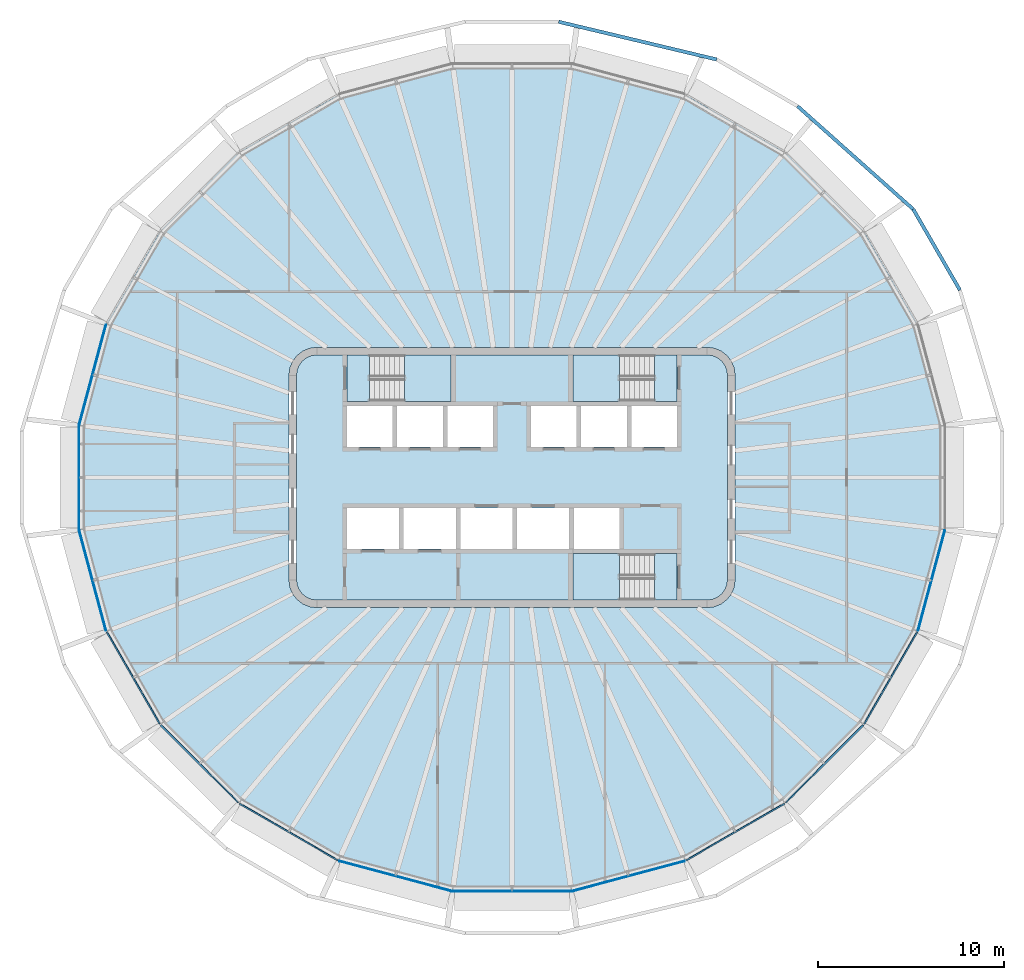
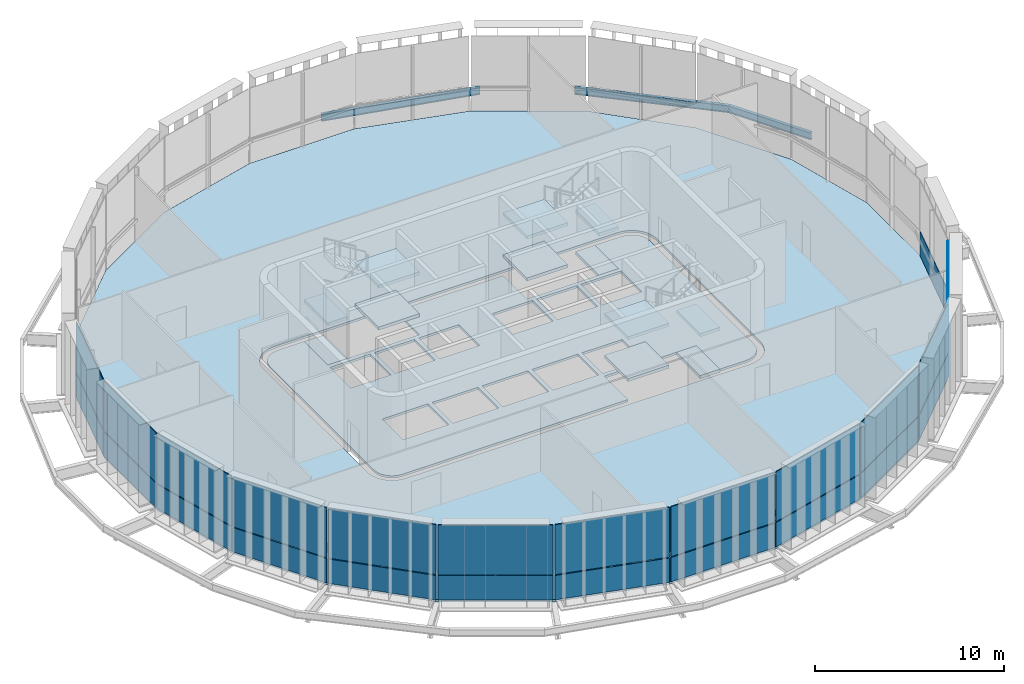
# One storey, part 5 of 16: 25 plates, 14 slabs, 3 beams, 16 elements without a shape of their own.
"""IFC4 building model written with IfcOpenShell, lengths in metres."""

from ifc_helpers import new_model, si_unit, direction, frame, origin, origin_2d, place, context, subcontext, project, spatial, polyline, i_section, outline, extrude, material, layer, layer_set, material_profile, profile_set, type_object, element, aggregate, save


model = new_model("IFC4")

# Units and contexts
model_context = context("Model", 3, precision=1e-05, world=origin(), true_north=direction((0.0, 1.0)))
body_context = subcontext(model_context, "Body", "Model", "MODEL_VIEW")
ifc_project = project(units=[si_unit("LENGTHUNIT", "METRE"), si_unit("AREAUNIT", "SQUARE_METRE"), si_unit("VOLUMEUNIT", "CUBIC_METRE"), si_unit("PLANEANGLEUNIT", "RADIAN"), si_unit("MASSUNIT", "GRAM", prefix="KILO")], contexts=[model_context])

# Site, building, storey
site_placement = place(None, origin())
site = spatial("IfcSite", under=ifc_project, at=site_placement, CompositionType="ELEMENT")
building_placement = place(site_placement, origin())
building = spatial("IfcBuilding", under=site, at=building_placement, Name="Sahrelin Media Tower", CompositionType="ELEMENT")
storey_placement = place(building_placement, frame((0.0, 0.0, 324.39990234375)))
storey = spatial("IfcBuildingStorey", under=building, at=storey_placement, Name="L72", CompositionType="ELEMENT", Elevation=324.39990234375)

# Beams
ifc_material_1 = material(Name="Steel S355", Category="steel")
ifc_material_profile = material_profile(ifc_material_1, i_section(OverallWidth=0.1904296875, OverallDepth=0.45703125, WebThickness=0.009033203125, FlangeThickness=0.014404296875, FilletRadius=0.01025390625, at=origin_2d()), Name="UB 457x191x74")
ifc_profile_set = profile_set([ifc_material_profile], Name="Steel S355")
beam_type = type_object("IfcBeamType", Name="Tie chord TC5", PredefinedType="BEAM", material=ifc_profile_set)
beam_1_placement = place(storey_placement, frame((24.093017578125, 10.086181640625, -0.37841796875), z_axis=(-0.499959752769, 0.866048639287, 0.0), x_axis=(-0.866048639287, -0.499959752769, 0.0)))
element("IfcBeam", 1, at=beam_1_placement, inside=storey, type_object=beam_type, Name="Tie chord L72-02", PredefinedType="BEAM", context=body_context, shape_type="SweptSolid", body=[
    extrude(i_section(OverallWidth=0.1904296875, OverallDepth=0.45703125, WebThickness=0.009033203125, FlangeThickness=0.014404296875, FilletRadius=0.01025390625, at=origin_2d()), origin(), (0.0, 0.0, 1.0), 5.01708984375),
])
beam_2_placement = place(storey_placement, frame((21.584716796875, 14.43115234375, -0.37841796875), z_axis=(-0.746643186688, 0.665224737793, 0.0), x_axis=(-0.665224737793, -0.746643186688, 0.0)))
element("IfcBeam", 2, at=beam_2_placement, inside=storey, type_object=beam_type, Name="Tie chord L72-03", PredefinedType="BEAM", context=body_context, shape_type="SweptSolid", body=[
    extrude(i_section(OverallWidth=0.1904296875, OverallDepth=0.45703125, WebThickness=0.009033203125, FlangeThickness=0.014404296875, FilletRadius=0.01025390625, at=origin_2d()), origin(), (0.0, 0.0, 1.0), 8.339111328125),
])
beam_3_placement = place(storey_placement, frame((11.013671875, 22.487060546875, -0.37841796875), z_axis=(-0.9726709397, 0.232187947715, 0.0), x_axis=(-0.232187947715, -0.9726709397, 0.0)))
element("IfcBeam", 3, at=beam_3_placement, inside=storey, type_object=beam_type, Name="Tie chord L72-05", PredefinedType="BEAM", context=body_context, shape_type="SweptSolid", body=[
    extrude(i_section(OverallWidth=0.1904296875, OverallDepth=0.45703125, WebThickness=0.009033203125, FlangeThickness=0.014404296875, FilletRadius=0.01025390625, at=origin_2d()), origin(), (0.0, 0.0, 1.0), 8.744140625),
])

# Slabs
ifc_material_2 = material(Name="Concrete C40/50", Category="concrete")
ifc_layer_1 = layer(ifc_material_2, 0.14990234375)
ifc_layer_set_1 = layer_set([ifc_layer_1], Name="Composite floor slab 150")
slab_type_1 = type_object("IfcSlabType", Name="Composite floor slab 150", PredefinedType="FLOOR", material=ifc_layer_set_1)
placement_1 = place(storey_placement, frame((0.0, 0.0, -0.14990234375)))
element("IfcSlab", 4, at=placement_1, inside=storey, type_object=slab_type_1, Name="Floor slab L72", PredefinedType="FLOOR", context=body_context, shape_type="SweptSolid", body=[
    extrude(outline(polyline([(23.279052734375, -2.8037109375), (23.279052734375, 2.8037109375), (21.8154296875, 8.266357421875), (18.919921875, 13.28125), (14.6884765625, 17.5126953125), (9.32958984375, 20.606689453125), (3.201416015625, 22.248779296875), (-3.201416015625, 22.248779296875), (-9.32958984375, 20.606689453125), (-14.6884765625, 17.5126953125), (-18.919921875, 13.28125), (-21.8154296875, 8.266357421875), (-23.279052734375, 2.8037109375), (-23.279052734375, -2.8037109375), (-21.8154296875, -8.266357421875), (-18.919921875, -13.28125), (-14.6884765625, -17.5126953125), (-9.32958984375, -20.606689453125), (-3.201416015625, -22.248779296875), (3.201416015625, -22.248779296875), (9.32958984375, -20.606689453125), (14.6884765625, -17.5126953125), (18.919921875, -13.28125), (21.8154296875, -8.266357421875), (23.279052734375, -2.8037109375)]), holes=[polyline([(11.948974609375, 5.88818359375), (12.0, 5.5), (12.0, -5.5), (11.948974609375, -5.88818359375), (11.799072265625, -6.25), (11.560791015625, -6.560791015625), (11.25, -6.799072265625), (10.88818359375, -6.948974609375), (10.5, -7.0), (-10.5, -7.0), (-10.88818359375, -6.948974609375), (-11.25, -6.799072265625), (-11.560791015625, -6.560791015625), (-11.799072265625, -6.25), (-11.948974609375, -5.88818359375), (-12.0, -5.5), (-12.0, 5.5), (-11.948974609375, 5.88818359375), (-11.799072265625, 6.25), (-11.560791015625, 6.560791015625), (-11.25, 6.799072265625), (-10.88818359375, 6.948974609375), (-10.5, 7.0), (10.5, 7.0), (10.88818359375, 6.948974609375), (11.25, 6.799072265625), (11.560791015625, 6.560791015625), (11.799072265625, 6.25), (11.948974609375, 5.88818359375)])]), origin(), (0.0, 0.0, 1.0), 0.14990234375),
])
ifc_layer_2 = layer(ifc_material_2, 0.14990234375)
ifc_layer_set_2 = layer_set([ifc_layer_2], Name="Core floor slab 150")
slab_type_2 = type_object("IfcSlabType", Name="Core floor slab 150", PredefinedType="FLOOR", material=ifc_layer_set_2)
element("IfcSlab", 5, at=placement_1, inside=storey, type_object=slab_type_2, Name="Core floor", PredefinedType="FLOOR", context=body_context, shape_type="SweptSolid", body=[
    extrude(outline(polyline([(-11.60009765625, -5.473876953125), (-11.55908203125, -5.78369140625), (-11.44970703125, -6.04833984375), (-11.275390625, -6.275390625), (-11.04833984375, -6.44970703125), (-10.78369140625, -6.55908203125), (-10.473876953125, -6.60009765625), (3.27490234375, -6.60009765625), (3.27490234375, -4.10009765625), (8.875, -4.10009765625), (8.875, -6.60009765625), (10.473876953125, -6.60009765625), (10.78369140625, -6.55908203125), (11.04833984375, -6.44970703125), (11.275390625, -6.275390625), (11.44970703125, -6.04833984375), (11.55908203125, -5.78369140625), (11.60009765625, -5.473876953125), (11.60009765625, 5.473876953125), (11.55908203125, 5.78369140625), (11.44970703125, 6.04833984375), (11.275390625, 6.275390625), (11.04833984375, 6.44970703125), (10.78369140625, 6.55908203125), (10.473876953125, 6.60009765625), (8.875, 6.60009765625), (8.875, 4.10009765625), (3.27490234375, 4.10009765625), (3.27490234375, 6.60009765625), (-3.27490234375, 6.60009765625), (-3.27490234375, 4.10009765625), (-8.875, 4.10009765625), (-8.875, 6.60009765625), (-10.473876953125, 6.60009765625), (-10.78369140625, 6.55908203125), (-11.04833984375, 6.44970703125), (-11.275390625, 6.275390625), (-11.44970703125, 6.04833984375), (-11.55908203125, 5.78369140625), (-11.60009765625, 5.473876953125), (-11.60009765625, -5.473876953125)]), holes=[polyline([(-8.875, 3.85009765625), (-8.875, 1.64990234375), (-6.425048828125, 1.64990234375), (-6.425048828125, 3.85009765625), (-8.875, 3.85009765625)]), polyline([(-3.72509765625, 3.85009765625), (-6.175048828125, 3.85009765625), (-6.175048828125, 1.64990234375), (-3.72509765625, 1.64990234375), (-3.72509765625, 3.85009765625)]), polyline([(-1.02490234375, 1.64990234375), (-1.02490234375, 3.85009765625), (-3.47509765625, 3.85009765625), (-3.47509765625, 1.64990234375), (-1.02490234375, 1.64990234375)]), polyline([(1.02490234375, 1.64990234375), (3.47509765625, 1.64990234375), (3.47509765625, 3.85009765625), (1.02490234375, 3.85009765625), (1.02490234375, 1.64990234375)]), polyline([(3.72509765625, 3.85009765625), (3.72509765625, 1.64990234375), (6.175048828125, 1.64990234375), (6.175048828125, 3.85009765625), (3.72509765625, 3.85009765625)]), polyline([(8.875, 3.85009765625), (6.425048828125, 3.85009765625), (6.425048828125, 1.64990234375), (8.875, 1.64990234375), (8.875, 3.85009765625)]), polyline([(-6.074951171875, -3.85009765625), (-6.074951171875, -1.64990234375), (-8.875, -1.64990234375), (-8.875, -3.85009765625), (-6.074951171875, -3.85009765625)]), polyline([(-5.824951171875, -3.85009765625), (-3.02490234375, -3.85009765625), (-3.02490234375, -1.64990234375), (-5.824951171875, -1.64990234375), (-5.824951171875, -3.85009765625)]), polyline([(-2.77490234375, -1.64990234375), (-2.77490234375, -3.85009765625), (0.02490234375, -3.85009765625), (0.02490234375, -1.64990234375), (-2.77490234375, -1.64990234375)]), polyline([(3.074951171875, -1.64990234375), (0.27490234375, -1.64990234375), (0.27490234375, -3.85009765625), (3.074951171875, -3.85009765625), (3.074951171875, -1.64990234375)]), polyline([(5.77490234375, -3.85009765625), (5.77490234375, -1.64990234375), (3.324951171875, -1.64990234375), (3.324951171875, -3.85009765625), (5.77490234375, -3.85009765625)])]), origin(), (0.0, 0.0, 1.0), 0.14990234375),
])

# Curtain wall, plates
ifc_material_3 = material(Name="Champagne anodised aluminium 6063-T6", Category="aluminium")
ifc_layer_3 = layer(ifc_material_3, 0.14990234375)
ifc_layer_set_3 = layer_set([ifc_layer_3], Name="Observation curtain wall")
curtain_wall_type = type_object("IfcCurtainWallType", Name="Observation curtain wall", PredefinedType="NOTDEFINED", material=ifc_layer_set_3)
curtain_wall_1_placement = place(storey_placement, frame((-22.56640625, 5.540283203125, 0.0), z_axis=(0.0, 0.0, 1.0), x_axis=(1.0, 0.0, 0.0)))
curtain_wall_1 = element("IfcCurtainWall", 6, at=curtain_wall_1_placement, inside=storey, type_object=curtain_wall_type, Name="L72:CW:L72-11", PredefinedType="NOTDEFINED")
ifc_material_4 = material(Name="Clear low-iron glazing", Category="glass")
ifc_layer_4 = layer(ifc_material_4, 0.050048828125)
ifc_layer_set_4 = layer_set([ifc_layer_4], Name="Glazing panel 50 mm CW3")
plate_type = type_object("IfcPlateType", Name="Glazing panel 50 mm CW3", PredefinedType="CURTAIN_PANEL", material=ifc_layer_set_4)
plate_1_placement = place(storey_placement, frame((-21.8662109375, 8.23095703125, 0.0), z_axis=(-0.965927474667, 0.258812893194, 0.0), x_axis=(-0.258812893194, -0.965927474667, 0.0)))
plate_1 = element("IfcPlate", 7, at=plate_1_placement, type_object=plate_type, Name="L72:CWP1:L72-11", PredefinedType="CURTAIN_PANEL", context=body_context, shape_type="SweptSolid", body=[
    extrude(outline(polyline([(0.0, 0.0), (5.560791015625, 0.0), (5.560791015625, 1.570068359375), (0.0, 1.570068359375), (0.0, 0.0)])), origin(), (0.0, 0.0, -1.0), 0.050048828125),
])
plate_2_placement = place(storey_placement, frame((-21.8662109375, 8.23095703125, 1.630126953125), z_axis=(-0.965927474667, 0.258812893194, 0.0), x_axis=(-0.258812893194, -0.965927474667, 0.0)))
plate_2 = element("IfcPlate", 8, at=plate_2_placement, type_object=plate_type, Name="L72:CWP2:L72-11", PredefinedType="CURTAIN_PANEL", context=body_context, shape_type="SweptSolid", body=[
    extrude(outline(polyline([(0.0, 0.0), (5.560791015625, 0.0), (5.560791015625, 3.218505859375), (0.0, 3.218505859375), (0.0, 0.0)])), origin(), (0.0, 0.0, -1.0), 0.050048828125),
])
aggregate(curtain_wall_1, [plate_1, plate_2])

curtain_wall_2_placement = place(storey_placement, frame((-23.299072265625, 0.0, 0.0), z_axis=(0.0, 0.0, 1.0), x_axis=(1.0, 0.0, 0.0)))
curtain_wall_2 = element("IfcCurtainWall", 9, at=curtain_wall_2_placement, inside=storey, type_object=curtain_wall_type, Name="L72:CW:L72-12", PredefinedType="NOTDEFINED")
plate_3_placement = place(storey_placement, frame((-23.319091796875, 2.756103515625, 0.0), z_axis=(-1.0, 0.0, 0.0), x_axis=(0.0, -1.0, 0.0)))
plate_3 = element("IfcPlate", 10, at=plate_3_placement, type_object=plate_type, Name="L72:CWP1:L72-12", PredefinedType="CURTAIN_PANEL", context=body_context, shape_type="SweptSolid", body=[
    extrude(outline(polyline([(0.0, 0.0), (5.51220703125, 0.0), (5.51220703125, 1.570068359375), (0.0, 1.570068359375), (0.0, 0.0)])), origin(), (0.0, 0.0, -1.0), 0.050048828125),
])
plate_4_placement = place(storey_placement, frame((-23.319091796875, 2.756103515625, 1.630126953125), z_axis=(-1.0, 0.0, 0.0), x_axis=(0.0, -1.0, 0.0)))
plate_4 = element("IfcPlate", 11, at=plate_4_placement, type_object=plate_type, Name="L72:CWP2:L72-12", PredefinedType="CURTAIN_PANEL", context=body_context, shape_type="SweptSolid", body=[
    extrude(outline(polyline([(0.0, 0.0), (5.51220703125, 0.0), (5.51220703125, 3.218505859375), (0.0, 3.218505859375), (0.0, 0.0)])), origin(), (0.0, 0.0, -1.0), 0.050048828125),
])
aggregate(curtain_wall_2, [plate_3, plate_4])

curtain_wall_3_placement = place(storey_placement, frame((-22.56640625, -5.540283203125, 0.0), z_axis=(0.0, 0.0, 1.0), x_axis=(1.0, 0.0, 0.0)))
curtain_wall_3 = element("IfcCurtainWall", 12, at=curtain_wall_3_placement, inside=storey, type_object=curtain_wall_type, Name="L72:CW:L72-13", PredefinedType="NOTDEFINED")
plate_5_placement = place(storey_placement, frame((-23.305419921875, -2.859619140625, 0.0), z_axis=(-0.965927474667, -0.258812893194, 0.0), x_axis=(0.258812893194, -0.965927474667, 0.0)))
plate_5 = element("IfcPlate", 13, at=plate_5_placement, type_object=plate_type, Name="L72:CWP1:L72-13", PredefinedType="CURTAIN_PANEL", context=body_context, shape_type="SweptSolid", body=[
    extrude(outline(polyline([(0.0, 0.0), (5.560791015625, 0.0), (5.560791015625, 1.570068359375), (0.0, 1.570068359375), (0.0, 0.0)])), origin(), (0.0, 0.0, -1.0), 0.050048828125),
])
plate_6_placement = place(storey_placement, frame((-23.305419921875, -2.859619140625, 1.630126953125), z_axis=(-0.965927474667, -0.258812893194, 0.0), x_axis=(0.258812893194, -0.965927474667, 0.0)))
plate_6 = element("IfcPlate", 14, at=plate_6_placement, type_object=plate_type, Name="L72:CWP2:L72-13", PredefinedType="CURTAIN_PANEL", context=body_context, shape_type="SweptSolid", body=[
    extrude(outline(polyline([(0.0, 0.0), (5.560791015625, 0.0), (5.560791015625, 3.218505859375), (0.0, 3.218505859375), (0.0, 0.0)])), origin(), (0.0, 0.0, -1.0), 0.050048828125),
])
aggregate(curtain_wall_3, [plate_5, plate_6])

curtain_wall_4_placement = place(storey_placement, frame((-20.385009765625, -10.783935546875, 0.0), z_axis=(0.0, 0.0, 1.0), x_axis=(1.0, 0.0, 0.0)))
curtain_wall_4 = element("IfcCurtainWall", 15, at=curtain_wall_4_placement, inside=storey, type_object=curtain_wall_type, Name="L72:CW:L72-14", PredefinedType="NOTDEFINED")
plate_7_placement = place(storey_placement, frame((-21.826416015625, -8.327392578125, 0.0), z_axis=(-0.866013566082, -0.500020502941, 0.0), x_axis=(0.500020502941, -0.866013566082, 0.0)))
plate_7 = element("IfcPlate", 16, at=plate_7_placement, type_object=plate_type, Name="L72:CWP1:L72-14", PredefinedType="CURTAIN_PANEL", context=body_context, shape_type="SweptSolid", body=[
    extrude(outline(polyline([(0.0, 0.0), (5.696044921875, 0.0), (5.696044921875, 1.570068359375), (0.0, 1.570068359375), (0.0, 0.0)])), origin(), (0.0, 0.0, -1.0), 0.050048828125),
])
plate_8_placement = place(storey_placement, frame((-21.826416015625, -8.327392578125, 1.630126953125), z_axis=(-0.866013566082, -0.500020502941, 0.0), x_axis=(0.500020502941, -0.866013566082, 0.0)))
plate_8 = element("IfcPlate", 17, at=plate_8_placement, type_object=plate_type, Name="L72:CWP2:L72-14", PredefinedType="CURTAIN_PANEL", context=body_context, shape_type="SweptSolid", body=[
    extrude(outline(polyline([(0.0, 0.0), (5.696044921875, 0.0), (5.696044921875, 3.218505859375), (0.0, 3.218505859375), (0.0, 0.0)])), origin(), (0.0, 0.0, -1.0), 0.050048828125),
])
aggregate(curtain_wall_4, [plate_7, plate_8])

curtain_wall_5_placement = place(storey_placement, frame((-16.818359375, -15.4111328125, 0.0), z_axis=(0.0, 0.0, 1.0), x_axis=(1.0, 0.0, 0.0)))
curtain_wall_5 = element("IfcCurtainWall", 18, at=curtain_wall_5_placement, inside=storey, type_object=curtain_wall_type, Name="L72:CW:L72-15", PredefinedType="NOTDEFINED")
plate_9_placement = place(storey_placement, frame((-18.914794921875, -13.343017578125, 0.0), z_axis=(-0.707106781187, -0.707106781187, 0.0), x_axis=(0.707106781187, -0.707106781187, 0.0)))
plate_9 = element("IfcPlate", 19, at=plate_9_placement, type_object=plate_type, Name="L72:CWP1:L72-15", PredefinedType="CURTAIN_PANEL", context=body_context, shape_type="SweptSolid", body=[
    extrude(outline(polyline([(0.0, 0.0), (5.8896484375, 0.0), (5.8896484375, 1.570068359375), (0.0, 1.570068359375), (0.0, 0.0)])), origin(), (0.0, 0.0, -1.0), 0.050048828125),
])
plate_10_placement = place(storey_placement, frame((-18.914794921875, -13.343017578125, 1.630126953125), z_axis=(-0.707106781187, -0.707106781187, 0.0), x_axis=(0.707106781187, -0.707106781187, 0.0)))
plate_10 = element("IfcPlate", 20, at=plate_10_placement, type_object=plate_type, Name="L72:CWP2:L72-15", PredefinedType="CURTAIN_PANEL", context=body_context, shape_type="SweptSolid", body=[
    extrude(outline(polyline([(0.0, 0.0), (5.8896484375, 0.0), (5.8896484375, 3.218505859375), (0.0, 3.218505859375), (0.0, 0.0)])), origin(), (0.0, 0.0, -1.0), 0.050048828125),
])
aggregate(curtain_wall_5, [plate_9, plate_10])

curtain_wall_6_placement = place(storey_placement, frame((-12.01904296875, -19.0771484375, 0.0), z_axis=(0.0, 0.0, 1.0), x_axis=(1.0, 0.0, 0.0)))
curtain_wall_6 = element("IfcCurtainWall", 21, at=curtain_wall_6_placement, inside=storey, type_object=curtain_wall_type, Name="L72:CW:L72-16", PredefinedType="NOTDEFINED")
plate_11_placement = place(storey_placement, frame((-14.66748046875, -17.571044921875, 0.0), z_axis=(-0.500004546124, -0.866022779063, 0.0), x_axis=(0.866022779063, -0.500004546124, 0.0)))
plate_11 = element("IfcPlate", 22, at=plate_11_placement, type_object=plate_type, Name="L72:CWP1:L72-16", PredefinedType="CURTAIN_PANEL", context=body_context, shape_type="SweptSolid", body=[
    extrude(outline(polyline([(0.0, 0.0), (6.09326171875, 0.0), (6.09326171875, 1.570068359375), (0.0, 1.570068359375), (0.0, 0.0)])), origin(), (0.0, 0.0, -1.0), 0.050048828125),
])
plate_12_placement = place(storey_placement, frame((-14.66748046875, -17.571044921875, 1.630126953125), z_axis=(-0.500004546124, -0.866022779063, 0.0), x_axis=(0.866022779063, -0.500004546124, 0.0)))
plate_12 = element("IfcPlate", 23, at=plate_12_placement, type_object=plate_type, Name="L72:CWP2:L72-16", PredefinedType="CURTAIN_PANEL", context=body_context, shape_type="SweptSolid", body=[
    extrude(outline(polyline([(0.0, 0.0), (6.09326171875, 0.0), (6.09326171875, 3.218505859375), (0.0, 3.218505859375), (0.0, 0.0)])), origin(), (0.0, 0.0, -1.0), 0.050048828125),
])
aggregate(curtain_wall_6, [plate_11, plate_12])

curtain_wall_7_placement = place(storey_placement, frame((-6.270751953125, -21.447021484375, 0.0), z_axis=(0.0, 0.0, 1.0), x_axis=(1.0, 0.0, 0.0)))
curtain_wall_7 = element("IfcCurtainWall", 24, at=curtain_wall_7_placement, inside=storey, type_object=curtain_wall_type, Name="L72:CW:L72-17", PredefinedType="NOTDEFINED")
plate_13_placement = place(storey_placement, frame((-9.294189453125, -20.65771484375, 0.0), z_axis=(-0.25880768294, -0.9659288707, 0.0), x_axis=(0.9659288707, -0.25880768294, 0.0)))
plate_13 = element("IfcPlate", 25, at=plate_13_placement, type_object=plate_type, Name="L72:CWP1:L72-17", PredefinedType="CURTAIN_PANEL", context=body_context, shape_type="SweptSolid", body=[
    extrude(outline(polyline([(0.0, 0.0), (6.24951171875, 0.0), (6.24951171875, 1.570068359375), (0.0, 1.570068359375), (0.0, 0.0)])), origin(), (0.0, 0.0, -1.0), 0.050048828125),
])
plate_14_placement = place(storey_placement, frame((-9.294189453125, -20.65771484375, 1.630126953125), z_axis=(-0.25880768294, -0.9659288707, 0.0), x_axis=(0.9659288707, -0.25880768294, 0.0)))
plate_14 = element("IfcPlate", 26, at=plate_14_placement, type_object=plate_type, Name="L72:CWP2:L72-17", PredefinedType="CURTAIN_PANEL", context=body_context, shape_type="SweptSolid", body=[
    extrude(outline(polyline([(0.0, 0.0), (6.24951171875, 0.0), (6.24951171875, 3.218505859375), (0.0, 3.218505859375), (0.0, 0.0)])), origin(), (0.0, 0.0, -1.0), 0.050048828125),
])
aggregate(curtain_wall_7, [plate_13, plate_14])

curtain_wall_8_placement = place(storey_placement, frame((0.0, -22.268798828125, 0.0), z_axis=(0.0, 0.0, 1.0), x_axis=(1.0, 0.0, 0.0)))
curtain_wall_8 = element("IfcCurtainWall", 27, at=curtain_wall_8_placement, inside=storey, type_object=curtain_wall_type, Name="L72:CW:L72-18", PredefinedType="NOTDEFINED")
plate_15_placement = place(storey_placement, frame((-3.154052734375, -22.288818359375, 0.0), z_axis=(0.0, -1.0, 0.0), x_axis=(1.0, 0.0, 0.0)))
plate_15 = element("IfcPlate", 28, at=plate_15_placement, type_object=plate_type, Name="L72:CWP1:L72-18", PredefinedType="CURTAIN_PANEL", context=body_context, shape_type="SweptSolid", body=[
    extrude(outline(polyline([(0.0, 0.0), (6.30810546875, 0.0), (6.30810546875, 1.570068359375), (0.0, 1.570068359375), (0.0, 0.0)])), origin(), (0.0, 0.0, -1.0), 0.050048828125),
])
plate_16_placement = place(storey_placement, frame((-3.154052734375, -22.288818359375, 1.630126953125), z_axis=(0.0, -1.0, 0.0), x_axis=(1.0, 0.0, 0.0)))
plate_16 = element("IfcPlate", 29, at=plate_16_placement, type_object=plate_type, Name="L72:CWP2:L72-18", PredefinedType="CURTAIN_PANEL", context=body_context, shape_type="SweptSolid", body=[
    extrude(outline(polyline([(0.0, 0.0), (6.30810546875, 0.0), (6.30810546875, 3.218505859375), (0.0, 3.218505859375), (0.0, 0.0)])), origin(), (0.0, 0.0, -1.0), 0.050048828125),
])
aggregate(curtain_wall_8, [plate_15, plate_16])

curtain_wall_9_placement = place(storey_placement, frame((6.270751953125, -21.447021484375, 0.0), z_axis=(0.0, 0.0, 1.0), x_axis=(1.0, 0.0, 0.0)))
curtain_wall_9 = element("IfcCurtainWall", 30, at=curtain_wall_9_placement, inside=storey, type_object=curtain_wall_type, Name="L72:CW:L72-19", PredefinedType="NOTDEFINED")
plate_17_placement = place(storey_placement, frame((3.257568359375, -22.275146484375, 0.0), z_axis=(0.25880768294, -0.9659288707, 0.0), x_axis=(0.9659288707, 0.25880768294, 0.0)))
plate_17 = element("IfcPlate", 31, at=plate_17_placement, type_object=plate_type, Name="L72:CWP1:L72-19", PredefinedType="CURTAIN_PANEL", context=body_context, shape_type="SweptSolid", body=[
    extrude(outline(polyline([(0.0, 0.0), (6.24951171875, 0.0), (6.24951171875, 1.570068359375), (0.0, 1.570068359375), (0.0, 0.0)])), origin(), (0.0, 0.0, -1.0), 0.050048828125),
])
plate_18_placement = place(storey_placement, frame((3.257568359375, -22.275146484375, 1.630126953125), z_axis=(0.25880768294, -0.9659288707, 0.0), x_axis=(0.9659288707, 0.25880768294, 0.0)))
plate_18 = element("IfcPlate", 32, at=plate_18_placement, type_object=plate_type, Name="L72:CWP2:L72-19", PredefinedType="CURTAIN_PANEL", context=body_context, shape_type="SweptSolid", body=[
    extrude(outline(polyline([(0.0, 0.0), (6.24951171875, 0.0), (6.24951171875, 3.218505859375), (0.0, 3.218505859375), (0.0, 0.0)])), origin(), (0.0, 0.0, -1.0), 0.050048828125),
])
aggregate(curtain_wall_9, [plate_17, plate_18])

curtain_wall_10_placement = place(storey_placement, frame((12.01904296875, -19.0771484375, 0.0), z_axis=(0.0, 0.0, 1.0), x_axis=(1.0, 0.0, 0.0)))
curtain_wall_10 = element("IfcCurtainWall", 33, at=curtain_wall_10_placement, inside=storey, type_object=curtain_wall_type, Name="L72:CW:L72-20", PredefinedType="NOTDEFINED")
plate_19_placement = place(storey_placement, frame((9.390625, -20.61767578125, 0.0), z_axis=(0.500004546124, -0.866022779063, 0.0), x_axis=(0.866022779063, 0.500004546124, 0.0)))
plate_19 = element("IfcPlate", 34, at=plate_19_placement, type_object=plate_type, Name="L72:CWP1:L72-20", PredefinedType="CURTAIN_PANEL", context=body_context, shape_type="SweptSolid", body=[
    extrude(outline(polyline([(0.0, 0.0), (6.09326171875, 0.0), (6.09326171875, 1.570068359375), (0.0, 1.570068359375), (0.0, 0.0)])), origin(), (0.0, 0.0, -1.0), 0.050048828125),
])
plate_20_placement = place(storey_placement, frame((9.390625, -20.61767578125, 1.630126953125), z_axis=(0.500004546124, -0.866022779063, 0.0), x_axis=(0.866022779063, 0.500004546124, 0.0)))
plate_20 = element("IfcPlate", 35, at=plate_20_placement, type_object=plate_type, Name="L72:CWP2:L72-20", PredefinedType="CURTAIN_PANEL", context=body_context, shape_type="SweptSolid", body=[
    extrude(outline(polyline([(0.0, 0.0), (6.09326171875, 0.0), (6.09326171875, 3.218505859375), (0.0, 3.218505859375), (0.0, 0.0)])), origin(), (0.0, 0.0, -1.0), 0.050048828125),
])
aggregate(curtain_wall_10, [plate_19, plate_20])

curtain_wall_11_placement = place(storey_placement, frame((16.818359375, -15.4111328125, 0.0), z_axis=(0.0, 0.0, 1.0), x_axis=(1.0, 0.0, 0.0)))
curtain_wall_11 = element("IfcCurtainWall", 36, at=curtain_wall_11_placement, inside=storey, type_object=curtain_wall_type, Name="L72:CW:L72-21", PredefinedType="NOTDEFINED")
plate_21_placement = place(storey_placement, frame((14.750244140625, -17.507568359375, 0.0), z_axis=(0.707106781187, -0.707106781187, 0.0), x_axis=(0.707106781187, 0.707106781187, 0.0)))
plate_21 = element("IfcPlate", 37, at=plate_21_placement, type_object=plate_type, Name="L72:CWP1:L72-21", PredefinedType="CURTAIN_PANEL", context=body_context, shape_type="SweptSolid", body=[
    extrude(outline(polyline([(0.0, 0.0), (5.8896484375, 0.0), (5.8896484375, 1.570068359375), (0.0, 1.570068359375), (0.0, 0.0)])), origin(), (0.0, 0.0, -1.0), 0.050048828125),
])
plate_22_placement = place(storey_placement, frame((14.750244140625, -17.507568359375, 1.630126953125), z_axis=(0.707106781187, -0.707106781187, 0.0), x_axis=(0.707106781187, 0.707106781187, 0.0)))
plate_22 = element("IfcPlate", 38, at=plate_22_placement, type_object=plate_type, Name="L72:CWP2:L72-21", PredefinedType="CURTAIN_PANEL", context=body_context, shape_type="SweptSolid", body=[
    extrude(outline(polyline([(0.0, 0.0), (5.8896484375, 0.0), (5.8896484375, 3.218505859375), (0.0, 3.218505859375), (0.0, 0.0)])), origin(), (0.0, 0.0, -1.0), 0.050048828125),
])
aggregate(curtain_wall_11, [plate_21, plate_22])

curtain_wall_12_placement = place(storey_placement, frame((20.385009765625, -10.78369140625, 0.0), z_axis=(0.0, 0.0, 1.0), x_axis=(1.0, 0.0, 0.0)))
curtain_wall_12 = element("IfcCurtainWall", 39, at=curtain_wall_12_placement, inside=storey, type_object=curtain_wall_type, Name="L72:CW:L72-22", PredefinedType="NOTDEFINED")
plate_23_placement = place(storey_placement, frame((18.978271484375, -13.26025390625, 0.0), z_axis=(0.866013566082, -0.500020502941, 0.0), x_axis=(0.500020502941, 0.866013566082, 0.0)))
plate_23 = element("IfcPlate", 40, at=plate_23_placement, type_object=plate_type, Name="L72:CWP1:L72-22", PredefinedType="CURTAIN_PANEL", context=body_context, shape_type="SweptSolid", body=[
    extrude(outline(polyline([(0.0, 0.0), (5.696044921875, 0.0), (5.696044921875, 1.570068359375), (0.0, 1.570068359375), (0.0, 0.0)])), origin(), (0.0, 0.0, -1.0), 0.050048828125),
])
plate_24_placement = place(storey_placement, frame((18.978271484375, -13.26025390625, 1.630126953125), z_axis=(0.866013566082, -0.500020502941, 0.0), x_axis=(0.500020502941, 0.866013566082, 0.0)))
plate_24 = element("IfcPlate", 41, at=plate_24_placement, type_object=plate_type, Name="L72:CWP2:L72-22", PredefinedType="CURTAIN_PANEL", context=body_context, shape_type="SweptSolid", body=[
    extrude(outline(polyline([(0.0, 0.0), (5.696044921875, 0.0), (5.696044921875, 3.218505859375), (0.0, 3.218505859375), (0.0, 0.0)])), origin(), (0.0, 0.0, -1.0), 0.050048828125),
])
aggregate(curtain_wall_12, [plate_23, plate_24])

# Curtain wall, plate
curtain_wall_13_placement = place(storey_placement, frame((22.56640625, -5.540283203125, 0.0), z_axis=(0.0, 0.0, 1.0), x_axis=(1.0, 0.0, 0.0)))
curtain_wall_13 = element("IfcCurtainWall", 42, at=curtain_wall_13_placement, inside=storey, type_object=curtain_wall_type, Name="L72:CW:L72-23", PredefinedType="NOTDEFINED")
plate_25_placement = place(storey_placement, frame((21.8662109375, -8.23095703125, 0.0), z_axis=(0.965927474667, -0.258812893194, 0.0), x_axis=(0.258812893194, 0.965927474667, 0.0)))
plate_25 = element("IfcPlate", 43, at=plate_25_placement, type_object=plate_type, Name="L72:CWP1:L72-23", PredefinedType="CURTAIN_PANEL", context=body_context, shape_type="SweptSolid", body=[
    extrude(outline(polyline([(0.0, 0.0), (5.560791015625, 0.0), (5.560791015625, 1.570068359375), (0.0, 1.570068359375), (0.0, 0.0)])), origin(), (0.0, 0.0, -1.0), 0.050048828125),
])
aggregate(curtain_wall_13, [plate_25])

# Stair, slabs
stair_type = type_object("IfcStairType", Name="Exit stair 1200", PredefinedType="HALF_TURN_STAIR", material=ifc_material_2)
placement_2 = place(storey_placement, origin())
stair_1 = element("IfcStair", 44, at=placement_2, inside=storey, type_object=stair_type, Name="L72 Exit stair ST1", PredefinedType="HALF_TURN_STAIR")
ifc_layer_5 = layer(ifc_material_2, 0.199951171875)
ifc_layer_set_5 = layer_set([ifc_layer_5], Name="Stair landing 200")
slab_type_3 = type_object("IfcSlabType", Name="Stair landing 200", PredefinedType="LANDING", material=ifc_layer_set_5)
placement_3 = place(storey_placement, frame((0.0, 0.0, 1.150146484375)))
slab_3 = element("IfcSlab", 45, at=placement_3, type_object=slab_type_3, Name="ST1 landing 1", PredefinedType="LANDING", context=body_context, shape_type="SweptSolid", body=[
    extrude(outline(polyline([(-5.77490234375, 4.10009765625), (-3.27490234375, 4.10009765625), (-3.27490234375, 6.60009765625), (-5.77490234375, 6.60009765625), (-5.77490234375, 4.10009765625)])), origin(), (0.0, 0.0, 1.0), 0.199951171875),
])
placement_4 = place(storey_placement, frame((0.0, 0.0, 2.5)))
slab_4 = element("IfcSlab", 46, at=placement_4, type_object=slab_type_3, Name="ST1 landing 2", PredefinedType="LANDING", context=body_context, shape_type="SweptSolid", body=[
    extrude(outline(polyline([(-8.875, 4.10009765625), (-7.675048828125, 4.10009765625), (-7.675048828125, 6.60009765625), (-8.875, 6.60009765625), (-8.875, 4.10009765625)])), origin(), (0.0, 0.0, 1.0), 0.2001953125),
])
placement_5 = place(storey_placement, frame((0.0, 0.0, 3.85009765625)))
slab_5 = element("IfcSlab", 47, at=placement_5, type_object=slab_type_3, Name="ST1 landing 3", PredefinedType="LANDING", context=body_context, shape_type="SweptSolid", body=[
    extrude(outline(polyline([(-5.77490234375, 4.10009765625), (-3.27490234375, 4.10009765625), (-3.27490234375, 6.60009765625), (-5.77490234375, 6.60009765625), (-5.77490234375, 4.10009765625)])), origin(), (0.0, 0.0, 1.0), 0.199951171875),
])
placement_6 = place(storey_placement, frame((0.0, 0.0, -0.199951171875)))
slab_6 = element("IfcSlab", 48, at=placement_6, type_object=slab_type_3, Name="ST1 landing 4", PredefinedType="LANDING", context=body_context, shape_type="SweptSolid", body=[
    extrude(outline(polyline([(-8.875, 4.10009765625), (-7.675048828125, 4.10009765625), (-7.675048828125, 6.60009765625), (-8.875, 6.60009765625), (-8.875, 4.10009765625)])), origin(), (0.0, 0.0, 1.0), 0.199951171875),
])
aggregate(stair_1, [slab_3, slab_4, slab_5, slab_6])

stair_2 = element("IfcStair", 49, at=placement_2, inside=storey, type_object=stair_type, Name="L72 Exit stair ST3", PredefinedType="HALF_TURN_STAIR")
slab_7 = element("IfcSlab", 50, at=placement_3, type_object=slab_type_3, Name="ST3 landing 1", PredefinedType="LANDING", context=body_context, shape_type="SweptSolid", body=[
    extrude(outline(polyline([(5.77490234375, 6.60009765625), (3.27490234375, 6.60009765625), (3.27490234375, 4.10009765625), (5.77490234375, 4.10009765625), (5.77490234375, 6.60009765625)])), origin(), (0.0, 0.0, 1.0), 0.199951171875),
])
slab_8 = element("IfcSlab", 51, at=placement_4, type_object=slab_type_3, Name="ST3 landing 2", PredefinedType="LANDING", context=body_context, shape_type="SweptSolid", body=[
    extrude(outline(polyline([(8.875, 6.60009765625), (7.675048828125, 6.60009765625), (7.675048828125, 4.10009765625), (8.875, 4.10009765625), (8.875, 6.60009765625)])), origin(), (0.0, 0.0, 1.0), 0.2001953125),
])
slab_9 = element("IfcSlab", 52, at=placement_5, type_object=slab_type_3, Name="ST3 landing 3", PredefinedType="LANDING", context=body_context, shape_type="SweptSolid", body=[
    extrude(outline(polyline([(5.77490234375, 6.60009765625), (3.27490234375, 6.60009765625), (3.27490234375, 4.10009765625), (5.77490234375, 4.10009765625), (5.77490234375, 6.60009765625)])), origin(), (0.0, 0.0, 1.0), 0.199951171875),
])
slab_10 = element("IfcSlab", 53, at=placement_6, type_object=slab_type_3, Name="ST3 landing 4", PredefinedType="LANDING", context=body_context, shape_type="SweptSolid", body=[
    extrude(outline(polyline([(8.875, 6.60009765625), (7.675048828125, 6.60009765625), (7.675048828125, 4.10009765625), (8.875, 4.10009765625), (8.875, 6.60009765625)])), origin(), (0.0, 0.0, 1.0), 0.199951171875),
])
aggregate(stair_2, [slab_7, slab_8, slab_9, slab_10])

stair_3 = element("IfcStair", 54, at=placement_2, inside=storey, type_object=stair_type, Name="L72 Exit stair ST2", PredefinedType="HALF_TURN_STAIR")
slab_11 = element("IfcSlab", 55, at=placement_3, type_object=slab_type_3, Name="ST2 landing 1", PredefinedType="LANDING", context=body_context, shape_type="SweptSolid", body=[
    extrude(outline(polyline([(5.77490234375, -4.10009765625), (3.27490234375, -4.10009765625), (3.27490234375, -6.60009765625), (5.77490234375, -6.60009765625), (5.77490234375, -4.10009765625)])), origin(), (0.0, 0.0, 1.0), 0.199951171875),
])
slab_12 = element("IfcSlab", 56, at=placement_4, type_object=slab_type_3, Name="ST2 landing 2", PredefinedType="LANDING", context=body_context, shape_type="SweptSolid", body=[
    extrude(outline(polyline([(8.875, -4.10009765625), (7.675048828125, -4.10009765625), (7.675048828125, -6.60009765625), (8.875, -6.60009765625), (8.875, -4.10009765625)])), origin(), (0.0, 0.0, 1.0), 0.2001953125),
])
slab_13 = element("IfcSlab", 57, at=placement_5, type_object=slab_type_3, Name="ST2 landing 3", PredefinedType="LANDING", context=body_context, shape_type="SweptSolid", body=[
    extrude(outline(polyline([(5.77490234375, -4.10009765625), (3.27490234375, -4.10009765625), (3.27490234375, -6.60009765625), (5.77490234375, -6.60009765625), (5.77490234375, -4.10009765625)])), origin(), (0.0, 0.0, 1.0), 0.199951171875),
])
slab_14 = element("IfcSlab", 58, at=placement_6, type_object=slab_type_3, Name="ST2 landing 4", PredefinedType="LANDING", context=body_context, shape_type="SweptSolid", body=[
    extrude(outline(polyline([(8.875, -4.10009765625), (7.675048828125, -4.10009765625), (7.675048828125, -6.60009765625), (8.875, -6.60009765625), (8.875, -4.10009765625)])), origin(), (0.0, 0.0, 1.0), 0.199951171875),
])
aggregate(stair_3, [slab_11, slab_12, slab_13, slab_14])

save(model, "model.ifc")
